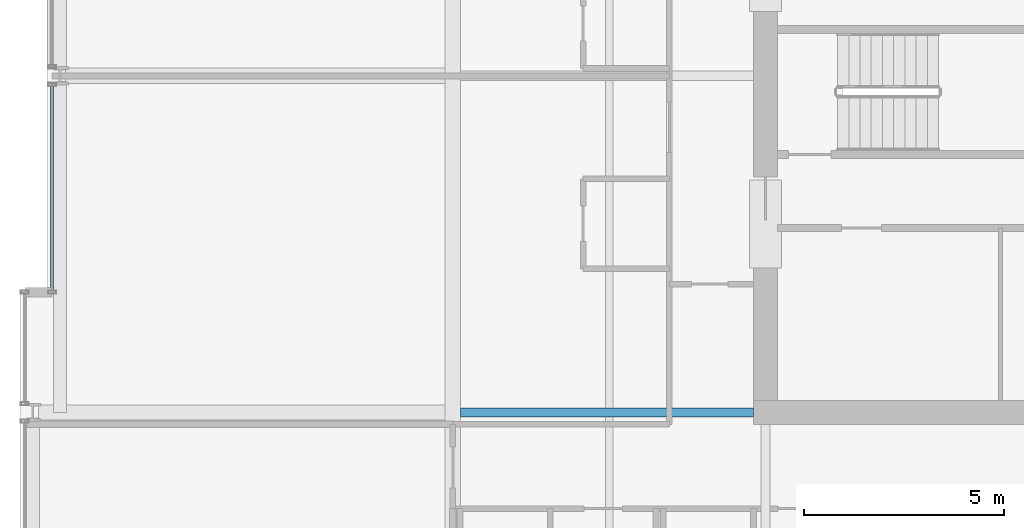
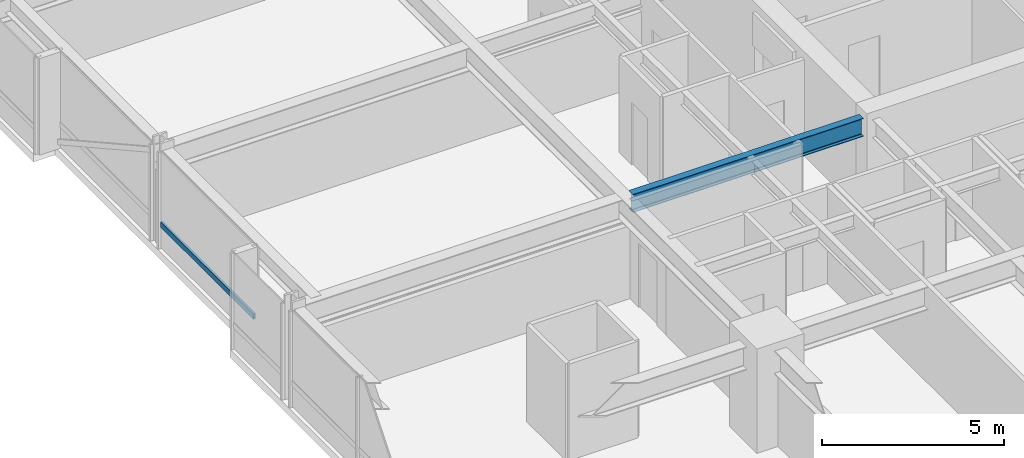
# One storey, part 8 of 35: 1 beam, 1 member, 1 element without a shape of its own.
"""IFC4 building model written with IfcOpenShell, lengths in metres."""

from ifc_helpers import new_model, si_unit, direction, frame, origin, origin_2d, place, context, subcontext, project, spatial, hollow_rectangle, i_section, extrude, material, layer, layer_set, material_profile, profile_set, type_object, element, aggregate, save


model = new_model("IFC4")

# Units and contexts
model_context = context("Model", 3, precision=1e-05, world=origin(), true_north=direction((0.0, 1.0)))
body_context = subcontext(model_context, "Body", "Model", "MODEL_VIEW")
ifc_project = project(units=[si_unit("LENGTHUNIT", "METRE"), si_unit("AREAUNIT", "SQUARE_METRE"), si_unit("VOLUMEUNIT", "CUBIC_METRE"), si_unit("PLANEANGLEUNIT", "RADIAN"), si_unit("MASSUNIT", "GRAM", prefix="KILO")], contexts=[model_context])

# Site, building, storey
site_placement = place(None, origin())
site = spatial("IfcSite", under=ifc_project, at=site_placement, CompositionType="ELEMENT")
building_placement = place(site_placement, origin())
building = spatial("IfcBuilding", under=site, at=building_placement, Name="Drelvath Grand Hotel", CompositionType="ELEMENT")
storey_placement = place(building_placement, frame((0.0, 0.0, 95.300048828125)))
storey = spatial("IfcBuildingStorey", under=building, at=storey_placement, Name="L23", CompositionType="ELEMENT", Elevation=95.300048828125)

# Curtain wall, member
ifc_material_1 = material(Name="Champagne Bronze Anodised Aluminium Frame", Category="aluminium")
ifc_layer = layer(ifc_material_1, 0.199951171875)
ifc_layer_set = layer_set([ifc_layer], Name="Champagne Bronze Anodised Aluminium Frame")
curtain_wall_type = type_object("IfcCurtainWallType", Name="Stick Curtain Wall CW-03 Champagne Bronze Mid-Rise", PredefinedType="NOTDEFINED", material=ifc_layer_set)
curtain_wall_placement = place(storey_placement, origin())
curtain_wall = element("IfcCurtainWall", 1, at=curtain_wall_placement, inside=storey, type_object=curtain_wall_type, Name="L23 CW-03 Curtain Wall CW03-L23-WM1", PredefinedType="NOTDEFINED")
ifc_material_profile_1 = material_profile(ifc_material_1, hollow_rectangle(XDim=0.074951171875, YDim=0.179931640625, WallThickness=0.0048828125, at=origin_2d()), Name="HSS180X75X5")
ifc_profile_set_1 = profile_set([ifc_material_profile_1], Name="Champagne Bronze Anodised Aluminium Frame")
member_type = type_object("IfcMemberType", Name="Curtain Wall Horizontal Transom CW-03 HSS180X75X5", PredefinedType="USERDEFINED", material=ifc_profile_set_1)
member_placement = place(storey_placement, frame((-26.199951171875, 21.639892578125, 0.81005859375), z_axis=(0.0, 1.0, 0.0), x_axis=(-1.0, 0.0, 0.0)))
member = element("IfcMember", 2, at=member_placement, type_object=member_type, Name="CW03-L23-WM1 Sill Transom", ObjectType="TRANSOM", PredefinedType="USERDEFINED", context=body_context, shape_type="SweptSolid", body=[
    extrude(hollow_rectangle(XDim=0.074951171875, YDim=0.179931640625, WallThickness=0.0048828125, at=origin_2d()), origin(), (0.0, 0.0, 1.0), 5.1005859375),
])
aggregate(curtain_wall, [member])

# Beam
ifc_material_2 = material(Name="Steel ASTM A992 Gr 50", Category="steel")
ifc_material_profile_2 = material_profile(ifc_material_2, i_section(OverallWidth=0.228271484375, OverallDepth=0.607666015625, WebThickness=0.01123046875, FlangeThickness=0.017333984375, FilletRadius=0.02001953125, at=origin_2d()), Name="W24X76")
ifc_profile_set_2 = profile_set([ifc_material_profile_2], Name="Steel ASTM A992 Gr 50")
beam_type = type_object("IfcBeamType", Name="Primary Floor Girder W24X76", PredefinedType="BEAM", material=ifc_profile_set_2)
beam_placement = place(storey_placement, frame((-16.009765625, 18.60009765625, 2.93603515625), z_axis=(1.0, 0.0, 0.0), x_axis=(0.0, 1.0, 0.0)))
element("IfcBeam", 3, at=beam_placement, inside=storey, type_object=beam_type, Name="L23 West Core Tie D", PredefinedType="BEAM", context=body_context, shape_type="SweptSolid", body=[
    extrude(i_section(OverallWidth=0.228271484375, OverallDepth=0.607666015625, WebThickness=0.01123046875, FlangeThickness=0.017333984375, FilletRadius=0.02001953125, at=origin_2d()), origin(), (0.0, 0.0, 1.0), 7.309814453125),
])

save(model, "model.ifc")
